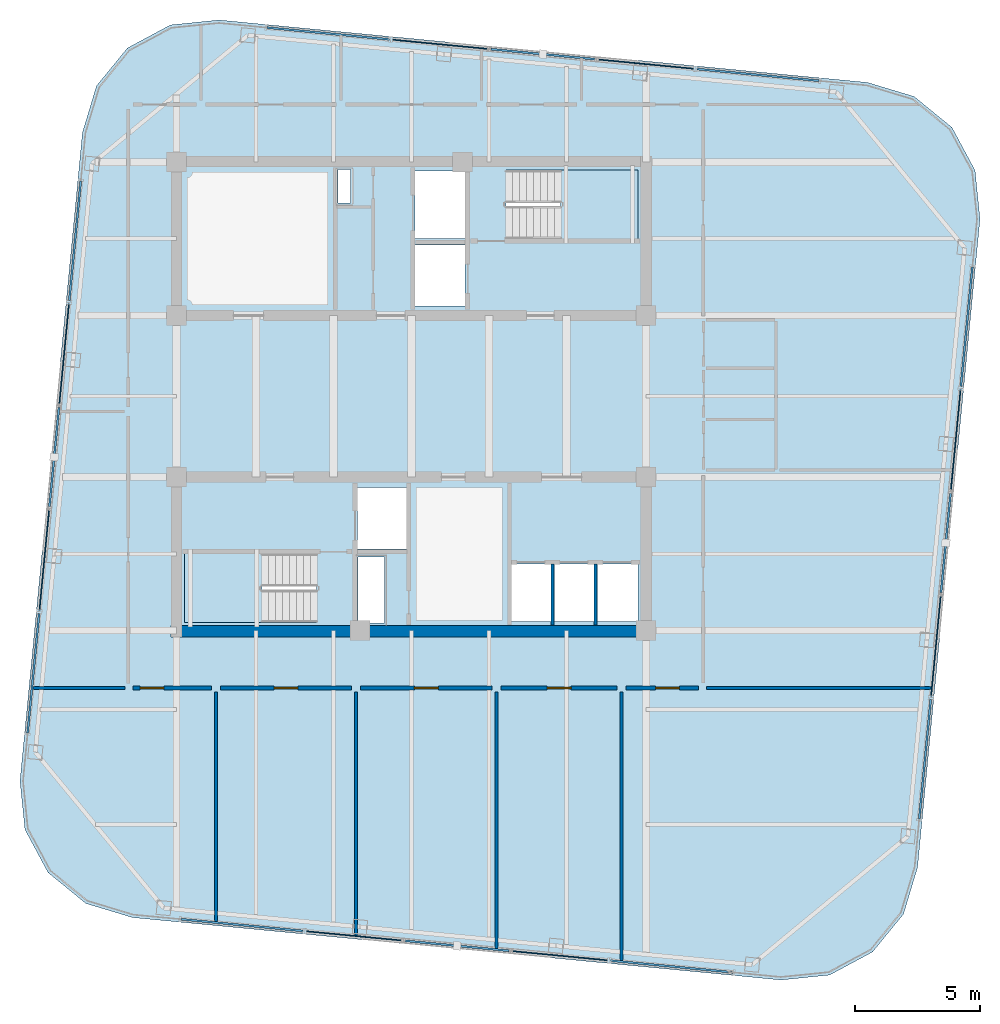
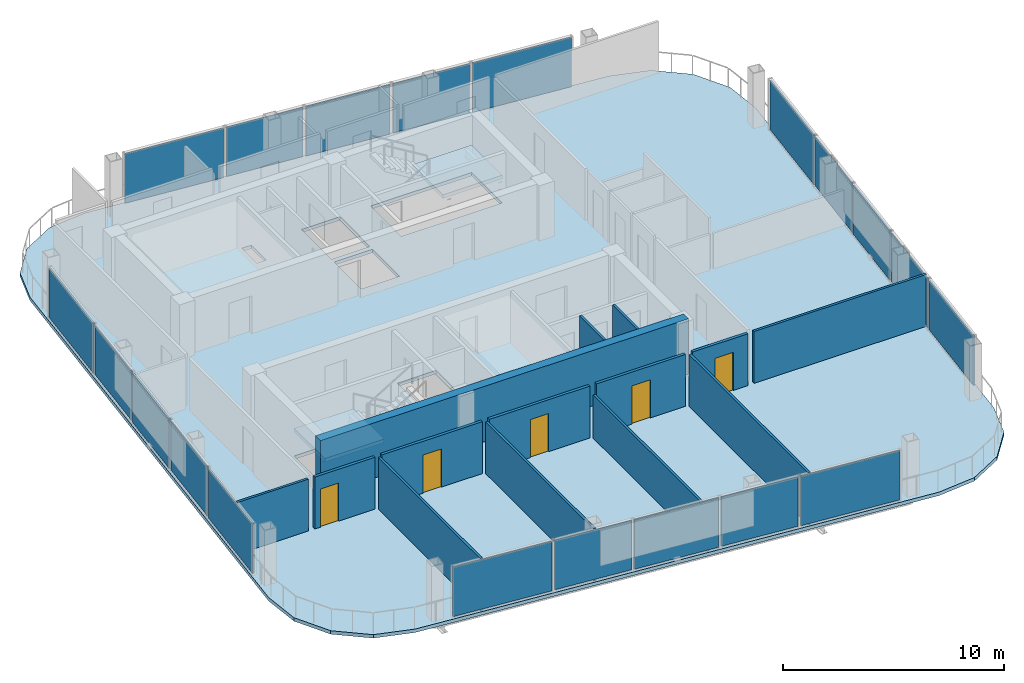
# One storey, part 16 of 22: 20 plates, 14 walls, 5 doors, 3 slabs, 5 openings, 22 elements without a shape of their own.
"""IFC4 building model written with IfcOpenShell, lengths in metres."""

from ifc_helpers import new_model, si_unit, direction, frame, frame_2d, origin, origin_2d, place, context, subcontext, project, spatial, polyline, rectangle, outline, extrude, material, layer, layer_set, type_object, element, fill, aggregate, save


model = new_model("IFC4")

# Units and contexts
model_context = context("Model", 3, precision=1e-05, world=origin(), true_north=direction((0.0, 1.0)))
body_context = subcontext(model_context, "Body", "Model", "MODEL_VIEW")
ifc_project = project(units=[si_unit("LENGTHUNIT", "METRE"), si_unit("AREAUNIT", "SQUARE_METRE"), si_unit("VOLUMEUNIT", "CUBIC_METRE"), si_unit("PLANEANGLEUNIT", "RADIAN"), si_unit("MASSUNIT", "GRAM", prefix="KILO")], contexts=[model_context])

# Site, building, storey
site_placement = place(None, origin())
site = spatial("IfcSite", under=ifc_project, at=site_placement, CompositionType="ELEMENT")
building_placement = place(site_placement, origin())
building = spatial("IfcBuilding", under=site, at=building_placement, Name="Qhalaya Broadcast Tower", CompositionType="ELEMENT")
storey_placement = place(building_placement, frame((0.0, 0.0, 252.0)))
storey = spatial("IfcBuildingStorey", under=building, at=storey_placement, Name="L74", CompositionType="ELEMENT", Elevation=252.0)

# Curtain wall, plate
ifc_material_1 = material(Name="Fired Architectural Terracotta", Category="masonry")
ifc_layer_1 = layer(ifc_material_1, 0.219970703125, Name="Fired Architectural Terracotta")
ifc_layer_set_1 = layer_set([ifc_layer_1], Name="Fired Architectural Terracotta")
curtain_wall_type_1 = type_object("IfcCurtainWallType", Name="Block-Cap Unitised Terracotta Spandrel Wall CW-07", PredefinedType="NOTDEFINED", material=ifc_layer_set_1)
curtain_wall_1_placement = place(storey_placement, origin())
curtain_wall_1 = element("IfcCurtainWall", 1, at=curtain_wall_1_placement, inside=storey, type_object=curtain_wall_type_1, Name="L74 Unitised Curtain Wall L74-CW-S1", PredefinedType="NOTDEFINED")
ifc_layer_2 = layer(ifc_material_1, 0.080078125, Name="Fired Architectural Terracotta")
ifc_layer_set_2 = layer_set([ifc_layer_2], Name="Fired Architectural Terracotta")
plate_type_1 = type_object("IfcPlateType", Name="Insulated Terracotta Spandrel Panel TSP-07", PredefinedType="CURTAIN_PANEL", material=ifc_layer_set_2)
plate_1_placement = place(storey_placement, frame((-6.761474609375, -20.5107421875, 0.074951171875), z_axis=(0.0, 0.0, 1.0), x_axis=(0.995395145786, -0.09585668336, 0.0)))
plate_1 = element("IfcPlate", 2, at=plate_1_placement, type_object=plate_type_1, Name="CW-07 panel 1.1", PredefinedType="CURTAIN_PANEL", context=body_context, shape_type="SweptSolid", body=[
    extrude(rectangle(XDim=4.89501953125, YDim=0.080078125, at=origin_2d()), origin(), (0.0, 0.0, 1.0), 2.7099609375),
])
aggregate(curtain_wall_1, [plate_1])

curtain_wall_2_placement = place(storey_placement, origin())
curtain_wall_2 = element("IfcCurtainWall", 3, at=curtain_wall_2_placement, inside=storey, type_object=curtain_wall_type_1, Name="L74 Unitised Curtain Wall L74-CW-S3", PredefinedType="NOTDEFINED")
plate_2_placement = place(storey_placement, frame((1.826171875, -21.337646484375, 0.074951171875), z_axis=(0.0, 0.0, 1.0), x_axis=(0.995397029971, -0.095837115594, 0.0)))
plate_2 = element("IfcPlate", 4, at=plate_2_placement, type_object=plate_type_1, Name="CW-07 panel 1.1", PredefinedType="CURTAIN_PANEL", context=body_context, shape_type="SweptSolid", body=[
    extrude(rectangle(XDim=4.174072265625, YDim=0.080078125, at=origin_2d()), origin(), (0.0, 0.0, 1.0), 2.7099609375),
])
aggregate(curtain_wall_2, [plate_2])

curtain_wall_3_placement = place(storey_placement, origin())
curtain_wall_3 = element("IfcCurtainWall", 5, at=curtain_wall_3_placement, inside=storey, type_object=curtain_wall_type_1, Name="L74 Unitised Curtain Wall L74-CW-S5", PredefinedType="NOTDEFINED")
plate_3_placement = place(storey_placement, frame((10.4140625, -22.16455078125, 0.074951171875), z_axis=(0.0, 0.0, 1.0), x_axis=(0.995396854807, -0.095838934889, 0.0)))
plate_3 = element("IfcPlate", 6, at=plate_3_placement, type_object=plate_type_1, Name="CW-07 panel 1.1", PredefinedType="CURTAIN_PANEL", context=body_context, shape_type="SweptSolid", body=[
    extrude(rectangle(XDim=4.89501953125, YDim=0.080078125, at=origin_2d()), origin(), (0.0, 0.0, 1.0), 2.7099609375),
])
aggregate(curtain_wall_3, [plate_3])

curtain_wall_4_placement = place(storey_placement, origin())
curtain_wall_4 = element("IfcCurtainWall", 7, at=curtain_wall_4_placement, inside=storey, type_object=curtain_wall_type_1, Name="L74 Unitised Curtain Wall L74-CW-E1", PredefinedType="NOTDEFINED")
plate_4_placement = place(storey_placement, frame((20.50634765625, -13.8876953125, 0.074951171875), z_axis=(0.0, 0.0, 1.0), x_axis=(0.095840154905, 0.99539673734, 0.0)))
plate_4 = element("IfcPlate", 8, at=plate_4_placement, type_object=plate_type_1, Name="CW-07 panel 1.1", PredefinedType="CURTAIN_PANEL", context=body_context, shape_type="SweptSolid", body=[
    extrude(rectangle(XDim=4.802001953125, YDim=0.080078125, at=origin_2d()), origin(), (0.0, 0.0, 1.0), 2.7099609375),
])
aggregate(curtain_wall_4, [plate_4])

curtain_wall_5_placement = place(storey_placement, origin())
curtain_wall_5 = element("IfcCurtainWall", 9, at=curtain_wall_5_placement, inside=storey, type_object=curtain_wall_type_1, Name="L74 Unitised Curtain Wall L74-CW-E3", PredefinedType="NOTDEFINED")
plate_5_placement = place(storey_placement, frame((21.337646484375, -5.253662109375, 0.074951171875), z_axis=(0.0, 0.0, 1.0), x_axis=(0.095842786142, 0.995396483992, 0.0)))
plate_5 = element("IfcPlate", 10, at=plate_5_placement, type_object=plate_type_1, Name="CW-07 panel 1.1", PredefinedType="CURTAIN_PANEL", context=body_context, shape_type="SweptSolid", body=[
    extrude(rectangle(XDim=3.98583984375, YDim=0.080078125, at=origin_2d()), origin(), (0.0, 0.0, 1.0), 2.7099609375),
])
aggregate(curtain_wall_5, [plate_5])

curtain_wall_6_placement = place(storey_placement, origin())
curtain_wall_6 = element("IfcCurtainWall", 11, at=curtain_wall_6_placement, inside=storey, type_object=curtain_wall_type_1, Name="L74 Unitised Curtain Wall L74-CW-E5", PredefinedType="NOTDEFINED")
plate_6_placement = place(storey_placement, frame((22.169189453125, 3.38037109375, 0.074951171875), z_axis=(0.0, 0.0, 1.0), x_axis=(0.095840154905, 0.99539673734, 0.0)))
plate_6 = element("IfcPlate", 12, at=plate_6_placement, type_object=plate_type_1, Name="CW-07 panel 1.1", PredefinedType="CURTAIN_PANEL", context=body_context, shape_type="SweptSolid", body=[
    extrude(rectangle(XDim=4.802001953125, YDim=0.080078125, at=origin_2d()), origin(), (0.0, 0.0, 1.0), 2.7099609375),
])
aggregate(curtain_wall_6, [plate_6])

curtain_wall_7_placement = place(storey_placement, origin())
curtain_wall_7 = element("IfcCurtainWall", 13, at=curtain_wall_7_placement, inside=storey, type_object=curtain_wall_type_1, Name="L74 Unitised Curtain Wall L74-CW-N1", PredefinedType="NOTDEFINED")
plate_7_placement = place(storey_placement, frame((13.841552734375, 13.430908203125, 0.074951171875), z_axis=(0.0, 0.0, 1.0), x_axis=(-0.995395145786, 0.09585668336, 0.0)))
plate_7 = element("IfcPlate", 14, at=plate_7_placement, type_object=plate_type_1, Name="CW-07 panel 1.1", PredefinedType="CURTAIN_PANEL", context=body_context, shape_type="SweptSolid", body=[
    extrude(rectangle(XDim=4.89501953125, YDim=0.080078125, at=origin_2d()), origin(), (0.0, 0.0, 1.0), 2.7099609375),
])
aggregate(curtain_wall_7, [plate_7])

curtain_wall_8_placement = place(storey_placement, origin())
curtain_wall_8 = element("IfcCurtainWall", 15, at=curtain_wall_8_placement, inside=storey, type_object=curtain_wall_type_1, Name="L74 Unitised Curtain Wall L74-CW-N3", PredefinedType="NOTDEFINED")
plate_8_placement = place(storey_placement, frame((5.253662109375, 14.2578125, 0.074951171875), z_axis=(0.0, 0.0, 1.0), x_axis=(-0.995397029971, 0.095837115594, 0.0)))
plate_8 = element("IfcPlate", 16, at=plate_8_placement, type_object=plate_type_1, Name="CW-07 panel 1.1", PredefinedType="CURTAIN_PANEL", context=body_context, shape_type="SweptSolid", body=[
    extrude(rectangle(XDim=4.174072265625, YDim=0.080078125, at=origin_2d()), origin(), (0.0, 0.0, 1.0), 2.7099609375),
])
aggregate(curtain_wall_8, [plate_8])

curtain_wall_9_placement = place(storey_placement, origin())
curtain_wall_9 = element("IfcCurtainWall", 17, at=curtain_wall_9_placement, inside=storey, type_object=curtain_wall_type_1, Name="L74 Unitised Curtain Wall L74-CW-N5", PredefinedType="NOTDEFINED")
plate_9_placement = place(storey_placement, frame((-3.333984375, 15.084716796875, 0.074951171875), z_axis=(0.0, 0.0, 1.0), x_axis=(-0.995396854807, 0.095838934889, 0.0)))
plate_9 = element("IfcPlate", 18, at=plate_9_placement, type_object=plate_type_1, Name="CW-07 panel 1.1", PredefinedType="CURTAIN_PANEL", context=body_context, shape_type="SweptSolid", body=[
    extrude(rectangle(XDim=4.89501953125, YDim=0.080078125, at=origin_2d()), origin(), (0.0, 0.0, 1.0), 2.7099609375),
])
aggregate(curtain_wall_9, [plate_9])

curtain_wall_10_placement = place(storey_placement, origin())
curtain_wall_10 = element("IfcCurtainWall", 19, at=curtain_wall_10_placement, inside=storey, type_object=curtain_wall_type_1, Name="L74 Unitised Curtain Wall L74-CW-W1", PredefinedType="NOTDEFINED")
plate_10_placement = place(storey_placement, frame((-13.42626953125, 6.807861328125, 0.074951171875), z_axis=(0.0, 0.0, 1.0), x_axis=(-0.095840154905, -0.99539673734, 0.0)))
plate_10 = element("IfcPlate", 20, at=plate_10_placement, type_object=plate_type_1, Name="CW-07 panel 1.1", PredefinedType="CURTAIN_PANEL", context=body_context, shape_type="SweptSolid", body=[
    extrude(rectangle(XDim=4.802001953125, YDim=0.080078125, at=origin_2d()), origin(), (0.0, 0.0, 1.0), 2.7099609375),
])
aggregate(curtain_wall_10, [plate_10])

curtain_wall_11_placement = place(storey_placement, origin())
curtain_wall_11 = element("IfcCurtainWall", 21, at=curtain_wall_11_placement, inside=storey, type_object=curtain_wall_type_1, Name="L74 Unitised Curtain Wall L74-CW-W3", PredefinedType="NOTDEFINED")
plate_11_placement = place(storey_placement, frame((-14.2578125, -1.826171875, 0.074951171875), z_axis=(0.0, 0.0, 1.0), x_axis=(-0.095842786142, -0.995396483992, 0.0)))
plate_11 = element("IfcPlate", 22, at=plate_11_placement, type_object=plate_type_1, Name="CW-07 panel 1.1", PredefinedType="CURTAIN_PANEL", context=body_context, shape_type="SweptSolid", body=[
    extrude(rectangle(XDim=3.98583984375, YDim=0.080078125, at=origin_2d()), origin(), (0.0, 0.0, 1.0), 2.7099609375),
])
aggregate(curtain_wall_11, [plate_11])

curtain_wall_12_placement = place(storey_placement, origin())
curtain_wall_12 = element("IfcCurtainWall", 23, at=curtain_wall_12_placement, inside=storey, type_object=curtain_wall_type_1, Name="L74 Unitised Curtain Wall L74-CW-W5", PredefinedType="NOTDEFINED")
plate_12_placement = place(storey_placement, frame((-15.089111328125, -10.460205078125, 0.074951171875), z_axis=(0.0, 0.0, 1.0), x_axis=(-0.095840154905, -0.99539673734, 0.0)))
plate_12 = element("IfcPlate", 24, at=plate_12_placement, type_object=plate_type_1, Name="CW-07 panel 1.1", PredefinedType="CURTAIN_PANEL", context=body_context, shape_type="SweptSolid", body=[
    extrude(rectangle(XDim=4.802001953125, YDim=0.080078125, at=origin_2d()), origin(), (0.0, 0.0, 1.0), 2.7099609375),
])
aggregate(curtain_wall_12, [plate_12])

ifc_material_2 = material(Name="Solar-Control Low-E Triple Glazing", Category="glass")
ifc_layer_3 = layer(ifc_material_2, 0.219970703125, Name="Solar-Control Low-E Triple Glazing")
ifc_layer_set_3 = layer_set([ifc_layer_3], Name="Solar-Control Low-E Triple Glazing")
curtain_wall_type_2 = type_object("IfcCurtainWallType", Name="High-Altitude Upper-Shaft Triple Low-E Curtain Wall CW-04", PredefinedType="NOTDEFINED", material=ifc_layer_set_3)
curtain_wall_13_placement = place(storey_placement, origin())
curtain_wall_13 = element("IfcCurtainWall", 25, at=curtain_wall_13_placement, inside=storey, type_object=curtain_wall_type_2, Name="L74 Unitised Curtain Wall L74-CW-S2", PredefinedType="NOTDEFINED")
ifc_layer_4 = layer(ifc_material_2, 0.0419921875, Name="Solar-Control Low-E Triple Glazing")
ifc_layer_set_4 = layer_set([ifc_layer_4], Name="Solar-Control Low-E Triple Glazing")
plate_type_2 = type_object("IfcPlateType", Name="Solar-Control Curtain Glazing Panel GLP-04", PredefinedType="CURTAIN_PANEL", material=ifc_layer_set_4)
plate_13_placement = place(storey_placement, frame((-2.2880859375, -20.941650390625, 0.074951171875), z_axis=(0.0, 0.0, 1.0), x_axis=(0.995396567507, -0.09584191878, 0.0)))
plate_13 = element("IfcPlate", 26, at=plate_13_placement, type_object=plate_type_2, Name="CW-04 panel 1.1", PredefinedType="CURTAIN_PANEL", context=body_context, shape_type="SweptSolid", body=[
    extrude(rectangle(XDim=3.79296875, YDim=0.0419921875, at=origin_2d()), origin(), (0.0, 0.0, 1.0), 2.7099609375),
])
aggregate(curtain_wall_13, [plate_13])

curtain_wall_14_placement = place(storey_placement, origin())
curtain_wall_14 = element("IfcCurtainWall", 27, at=curtain_wall_14_placement, inside=storey, type_object=curtain_wall_type_2, Name="L74 Unitised Curtain Wall L74-CW-S4", PredefinedType="NOTDEFINED")
plate_14_placement = place(storey_placement, frame((5.940673828125, -21.73388671875, 0.074951171875), z_axis=(0.0, 0.0, 1.0), x_axis=(0.995394380747, -0.095864627352, 0.0)))
plate_14 = element("IfcPlate", 28, at=plate_14_placement, type_object=plate_type_2, Name="CW-04 panel 1.1", PredefinedType="CURTAIN_PANEL", context=body_context, shape_type="SweptSolid", body=[
    extrude(rectangle(XDim=3.79296875, YDim=0.0419921875, at=origin_2d()), origin(), (0.0, 0.0, 1.0), 2.7099609375),
])
aggregate(curtain_wall_14, [plate_14])

curtain_wall_15_placement = place(storey_placement, origin())
curtain_wall_15 = element("IfcCurtainWall", 29, at=curtain_wall_15_placement, inside=storey, type_object=curtain_wall_type_2, Name="L74 Unitised Curtain Wall L74-CW-E2", PredefinedType="NOTDEFINED")
plate_15_placement = place(storey_placement, frame((20.941650390625, -9.36767578125, 0.074951171875), z_axis=(0.0, 0.0, 1.0), x_axis=(0.095859120729, 0.995394911064, 0.0)))
plate_15 = element("IfcPlate", 30, at=plate_15_placement, type_object=plate_type_2, Name="CW-04 panel 1.1", PredefinedType="CURTAIN_PANEL", context=body_context, shape_type="SweptSolid", body=[
    extrude(rectangle(XDim=3.97998046875, YDim=0.0419921875, at=origin_2d()), origin(), (0.0, 0.0, 1.0), 2.7099609375),
])
aggregate(curtain_wall_15, [plate_15])

curtain_wall_16_placement = place(storey_placement, origin())
curtain_wall_16 = element("IfcCurtainWall", 31, at=curtain_wall_16_placement, inside=storey, type_object=curtain_wall_type_2, Name="L74 Unitised Curtain Wall L74-CW-E4", PredefinedType="NOTDEFINED")
plate_16_placement = place(storey_placement, frame((21.73388671875, -1.139892578125, 0.074951171875), z_axis=(0.0, 0.0, 1.0), x_axis=(0.095859120729, 0.995394911064, 0.0)))
plate_16 = element("IfcPlate", 32, at=plate_16_placement, type_object=plate_type_2, Name="CW-04 panel 1.1", PredefinedType="CURTAIN_PANEL", context=body_context, shape_type="SweptSolid", body=[
    extrude(rectangle(XDim=3.97998046875, YDim=0.0419921875, at=origin_2d()), origin(), (0.0, 0.0, 1.0), 2.7099609375),
])
aggregate(curtain_wall_16, [plate_16])

curtain_wall_17_placement = place(storey_placement, origin())
curtain_wall_17 = element("IfcCurtainWall", 33, at=curtain_wall_17_placement, inside=storey, type_object=curtain_wall_type_2, Name="L74 Unitised Curtain Wall L74-CW-N2", PredefinedType="NOTDEFINED")
plate_17_placement = place(storey_placement, frame((9.3681640625, 13.861572265625, 0.074951171875), z_axis=(0.0, 0.0, 1.0), x_axis=(-0.995396567507, 0.09584191878, 0.0)))
plate_17 = element("IfcPlate", 34, at=plate_17_placement, type_object=plate_type_2, Name="CW-04 panel 1.1", PredefinedType="CURTAIN_PANEL", context=body_context, shape_type="SweptSolid", body=[
    extrude(rectangle(XDim=3.79296875, YDim=0.0419921875, at=origin_2d()), origin(), (0.0, 0.0, 1.0), 2.7099609375),
])
aggregate(curtain_wall_17, [plate_17])

curtain_wall_18_placement = place(storey_placement, origin())
curtain_wall_18 = element("IfcCurtainWall", 35, at=curtain_wall_18_placement, inside=storey, type_object=curtain_wall_type_2, Name="L74 Unitised Curtain Wall L74-CW-N4", PredefinedType="NOTDEFINED")
plate_18_placement = place(storey_placement, frame((1.13916015625, 14.65380859375, 0.074951171875), z_axis=(0.0, 0.0, 1.0), x_axis=(-0.995394380747, 0.095864627352, 0.0)))
plate_18 = element("IfcPlate", 36, at=plate_18_placement, type_object=plate_type_2, Name="CW-04 panel 1.1", PredefinedType="CURTAIN_PANEL", context=body_context, shape_type="SweptSolid", body=[
    extrude(rectangle(XDim=3.79296875, YDim=0.0419921875, at=origin_2d()), origin(), (0.0, 0.0, 1.0), 2.7099609375),
])
aggregate(curtain_wall_18, [plate_18])

curtain_wall_19_placement = place(storey_placement, origin())
curtain_wall_19 = element("IfcCurtainWall", 37, at=curtain_wall_19_placement, inside=storey, type_object=curtain_wall_type_2, Name="L74 Unitised Curtain Wall L74-CW-W2", PredefinedType="NOTDEFINED")
plate_19_placement = place(storey_placement, frame((-13.861572265625, 2.28759765625, 0.074951171875), z_axis=(0.0, 0.0, 1.0), x_axis=(-0.095859120729, -0.995394911064, 0.0)))
plate_19 = element("IfcPlate", 38, at=plate_19_placement, type_object=plate_type_2, Name="CW-04 panel 1.1", PredefinedType="CURTAIN_PANEL", context=body_context, shape_type="SweptSolid", body=[
    extrude(rectangle(XDim=3.97998046875, YDim=0.0419921875, at=origin_2d()), origin(), (0.0, 0.0, 1.0), 2.7099609375),
])
aggregate(curtain_wall_19, [plate_19])

curtain_wall_20_placement = place(storey_placement, origin())
curtain_wall_20 = element("IfcCurtainWall", 39, at=curtain_wall_20_placement, inside=storey, type_object=curtain_wall_type_2, Name="L74 Unitised Curtain Wall L74-CW-W4", PredefinedType="NOTDEFINED")
plate_20_placement = place(storey_placement, frame((-14.65380859375, -5.940185546875, 0.074951171875), z_axis=(0.0, 0.0, 1.0), x_axis=(-0.095859120729, -0.995394911064, 0.0)))
plate_20 = element("IfcPlate", 40, at=plate_20_placement, type_object=plate_type_2, Name="CW-04 panel 1.1", PredefinedType="CURTAIN_PANEL", context=body_context, shape_type="SweptSolid", body=[
    extrude(rectangle(XDim=3.97998046875, YDim=0.0419921875, at=origin_2d()), origin(), (0.0, 0.0, 1.0), 2.7099609375),
])
aggregate(curtain_wall_20, [plate_20])

# Stair, slab
ifc_material_3 = material(Name="Concrete C40/50", Category="concrete")
stair_type = type_object("IfcStairType", Name="Protected Dogleg Core Stair 3150", PredefinedType="TWO_STRAIGHT_RUN_STAIR", material=ifc_material_3)
stair_1_placement = place(storey_placement, origin())
stair_1 = element("IfcStair", 41, at=stair_1_placement, inside=storey, type_object=stair_type, Name="L74 North Core Exit Stair ST-1", PredefinedType="TWO_STRAIGHT_RUN_STAIR")
ifc_layer_5 = layer(ifc_material_3, 0.199951171875, Name="Concrete C40/50")
ifc_layer_set_5 = layer_set([ifc_layer_5], Name="Concrete C40/50")
slab_type_1 = type_object("IfcSlabType", Name="Stair & Ramp Half-Landing Slab 200", PredefinedType="LANDING", material=ifc_layer_set_5)
slab_1_placement = place(storey_placement, frame((0.0, 0.0, 1.324951171875)))
slab_1 = element("IfcSlab", 42, at=slab_1_placement, type_object=slab_type_1, Name="ST-1 landing 1", PredefinedType="LANDING", context=body_context, shape_type="SweptSolid", body=[
    extrude(outline(polyline([(5.955078125, 6.8798828125), (9.050048828125, 6.8798828125), (9.050048828125, 9.639892578125), (5.955078125, 9.639892578125), (5.955078125, 6.8798828125)])), origin(), (0.0, 0.0, 1.0), 0.199951171875),
])
aggregate(stair_1, [slab_1])

stair_2_placement = place(storey_placement, origin())
stair_2 = element("IfcStair", 43, at=stair_2_placement, inside=storey, type_object=stair_type, Name="L74 South Core Exit Stair ST-2", PredefinedType="TWO_STRAIGHT_RUN_STAIR")
slab_2_placement = place(storey_placement, frame((0.0, 0.0, 1.324951171875)))
slab_2 = element("IfcSlab", 44, at=slab_2_placement, type_object=slab_type_1, Name="ST-2 landing 1", PredefinedType="LANDING", context=body_context, shape_type="SweptSolid", body=[
    extrude(outline(polyline([(-5.955078125, -5.679931640625), (-9.050048828125, -5.679931640625), (-9.050048828125, -8.43994140625), (-5.955078125, -8.43994140625), (-5.955078125, -5.679931640625)])), origin(), (0.0, 0.0, 1.0), 0.199951171875),
])
aggregate(stair_2, [slab_2])

# Slab
ifc_layer_6 = layer(ifc_material_3, 0.18994140625, Name="Concrete C40/50")
ifc_layer_set_6 = layer_set([ifc_layer_6], Name="Concrete C40/50")
slab_type_2 = type_object("IfcSlabType", Name="Upper Tower Composite Floor Slab 190", PredefinedType="FLOOR", material=ifc_layer_set_6)
slab_3_placement = place(storey_placement, frame((0.0, 0.0, -0.18994140625)))
element("IfcSlab", 45, at=slab_3_placement, inside=storey, type_object=slab_type_2, Name="L74 Main Structural Floor Slab", PredefinedType="FLOOR", context=body_context, shape_type="SweptSolid", body=[
    extrude(outline(polyline([(14.7548828125, -22.703125), (16.696044921875, -22.5078125), (18.41455078125, -21.584228515625), (19.64892578125, -20.073486328125), (20.211181640625, -18.205322265625), (22.703125, 7.6748046875), (22.5078125, 9.615966796875), (21.584228515625, 11.33447265625), (20.073486328125, 12.56884765625), (18.205322265625, 13.131103515625), (-7.6748046875, 15.623046875), (-9.615966796875, 15.427734375), (-11.33447265625, 14.50439453125), (-12.56884765625, 12.993408203125), (-13.131103515625, 11.12548828125), (-15.623046875, -14.7548828125), (-15.427734375, -16.696044921875), (-14.50439453125, -18.41455078125), (-12.993408203125, -19.64892578125), (-11.12548828125, -20.211181640625), (14.7548828125, -22.703125)]), holes=[polyline([(3.784912109375, 9.639892578125), (9.050048828125, 9.639892578125), (9.050048828125, 6.8798828125), (3.784912109375, 6.8798828125), (3.784912109375, 9.639892578125)]), polyline([(-3.784912109375, -8.43994140625), (-9.050048828125, -8.43994140625), (-9.050048828125, -5.679931640625), (-3.784912109375, -5.679931640625), (-3.784912109375, -8.43994140625)]), polyline([(0.14990234375, 6.64990234375), (2.14990234375, 6.64990234375), (2.14990234375, 4.199951171875), (0.14990234375, 4.199951171875), (0.14990234375, 6.64990234375)]), polyline([(0.14990234375, 9.60009765625), (2.14990234375, 9.60009765625), (2.14990234375, 6.89990234375), (0.14990234375, 6.89990234375), (0.14990234375, 9.60009765625)]), polyline([(-2.14990234375, -3.050048828125), (-0.14990234375, -3.050048828125), (-0.14990234375, -5.5), (-2.14990234375, -5.5), (-2.14990234375, -3.050048828125)]), polyline([(4.0, -6.10009765625), (5.60009765625, -6.10009765625), (5.60009765625, -8.39990234375), (4.0, -8.39990234375), (4.0, -6.10009765625)]), polyline([(5.719970703125, -6.10009765625), (7.320068359375, -6.10009765625), (7.320068359375, -8.39990234375), (5.719970703125, -8.39990234375), (5.719970703125, -6.10009765625)]), polyline([(7.43994140625, -6.10009765625), (9.0400390625, -6.10009765625), (9.0400390625, -8.39990234375), (7.43994140625, -8.39990234375), (7.43994140625, -6.10009765625)]), polyline([(-2.919921875, 9.659912109375), (-2.419921875, 9.659912109375), (-2.419921875, 8.320068359375), (-2.919921875, 8.320068359375), (-2.919921875, 9.659912109375)]), polyline([(-2.1201171875, -5.820068359375), (-1.080078125, -5.820068359375), (-1.080078125, -8.4599609375), (-2.1201171875, -8.4599609375), (-2.1201171875, -5.820068359375)])]), origin(), (0.0, 0.0, 1.0), 0.18994140625),
])

# Wall, opening, door
ifc_material_4 = material(Name="Gypsum Acoustic Partition")
ifc_layer_7 = layer(ifc_material_4, 0.14990234375, Name="Gypsum Acoustic Partition")
ifc_layer_set_7 = layer_set([ifc_layer_7], Name="Gypsum Acoustic Partition")
wall_type_1 = type_object("IfcWallType", Name="Corridor & Tenancy Acoustic Partition 150", PredefinedType="PARTITIONING", material=ifc_layer_set_7)
wall_1_placement = place(storey_placement, frame((-11.1201171875, -11.050048828125, 0.0), z_axis=(0.0, 0.0, 1.0), x_axis=(1.0, 0.0, 0.0)))
wall_1 = element("IfcWall", 46, at=wall_1_placement, inside=storey, type_object=wall_type_1, Name="L74 Partition Wall W-COR-06", PredefinedType="PARTITIONING", context=body_context, shape_type="SweptSolid", body=[
    extrude(rectangle(XDim=3.14013671875, YDim=0.14990234375, at=frame_2d((1.570068359375, 0.0))), origin(), (0.0, 0.0, 1.0), 2.860107421875),
])
opening_1_placement = place(wall_1_placement, frame((0.294921875, 0.0, 0.0)))
opening_1 = element("IfcOpeningElement", 47, at=opening_1_placement, cuts=wall_1, Name="Opening D10", PredefinedType="OPENING", context=body_context, shape_type="SweptSolid", body=[
    extrude(rectangle(XDim=0.949951171875, YDim=2.10009765625, at=frame_2d((0.47509765625, 1.050048828125))), frame((0.0, 0.0869140625, 0.0), z_axis=(0.0, -1.0, 0.0), x_axis=(1.0, 0.0, 0.0)), (0.0, 0.0, 1.0), 0.173828125),
])
ifc_material_5 = material(Name="Timber Veneer Acoustic Door", Category="wood")
door_type = type_object("IfcDoorType", Name="Cellular Office & Edit Booth Door D10", OperationType="NOTDEFINED", PredefinedType="DOOR", material=ifc_material_5)
door_1_placement = place(opening_1_placement, origin())
door_1 = element("IfcDoor", 48, at=door_1_placement, inside=storey, type_object=door_type, Name="L74 Door D-RM06", OperationType="SINGLE_SWING_LEFT", OverallHeight=2.10009765625, OverallWidth=0.949951171875, PredefinedType="DOOR", context=body_context, shape_type="SweptSolid", body=[
    extrude(rectangle(XDim=0.949951171875, YDim=2.10009765625, at=frame_2d((0.47509765625, 1.050048828125))), frame((0.0, 0.02490234375, 0.0), z_axis=(0.0, -1.0, 0.0), x_axis=(1.0, 0.0, 0.0)), (0.0, 0.0, 1.0), 0.050048828125),
])
fill(opening_1, door_1)

wall_2_placement = place(storey_placement, frame((-7.6201171875, -11.050048828125, 0.0), z_axis=(0.0, 0.0, 1.0), x_axis=(1.0, 0.0, 0.0)))
wall_2 = element("IfcWall", 49, at=wall_2_placement, inside=storey, type_object=wall_type_1, Name="L74 Partition Wall W-COR-07", PredefinedType="PARTITIONING", context=body_context, shape_type="SweptSolid", body=[
    extrude(rectangle(XDim=5.240234375, YDim=0.14990234375, at=frame_2d((2.6201171875, 0.0))), origin(), (0.0, 0.0, 1.0), 2.860107421875),
])
opening_2_placement = place(wall_2_placement, frame((2.14501953125, 0.0, 0.0)))
opening_2 = element("IfcOpeningElement", 50, at=opening_2_placement, cuts=wall_2, Name="Opening D10", PredefinedType="OPENING", context=body_context, shape_type="SweptSolid", body=[
    extrude(rectangle(XDim=0.949951171875, YDim=2.10009765625, at=frame_2d((0.47509765625, 1.050048828125))), frame((0.0, 0.0869140625, 0.0), z_axis=(0.0, -1.0, 0.0), x_axis=(1.0, 0.0, 0.0)), (0.0, 0.0, 1.0), 0.173828125),
])
door_2_placement = place(opening_2_placement, origin())
door_2 = element("IfcDoor", 51, at=door_2_placement, inside=storey, type_object=door_type, Name="L74 Door D-RM07", OperationType="SINGLE_SWING_RIGHT", OverallHeight=2.10009765625, OverallWidth=0.949951171875, PredefinedType="DOOR", context=body_context, shape_type="SweptSolid", body=[
    extrude(rectangle(XDim=0.949951171875, YDim=2.10009765625, at=frame_2d((0.47509765625, 1.050048828125))), frame((0.0, 0.02490234375, 0.0), z_axis=(0.0, -1.0, 0.0), x_axis=(1.0, 0.0, 0.0)), (0.0, 0.0, 1.0), 0.050048828125),
])
fill(opening_2, door_2)

wall_3_placement = place(storey_placement, frame((-2.02001953125, -11.050048828125, 0.0), z_axis=(0.0, 0.0, 1.0), x_axis=(1.0, 0.0, 0.0)))
wall_3 = element("IfcWall", 52, at=wall_3_placement, inside=storey, type_object=wall_type_1, Name="L74 Partition Wall W-COR-08", PredefinedType="PARTITIONING", context=body_context, shape_type="SweptSolid", body=[
    extrude(rectangle(XDim=5.239990234375, YDim=0.14990234375, at=frame_2d((2.6201171875, 0.0))), origin(), (0.0, 0.0, 1.0), 2.860107421875),
])
opening_3_placement = place(wall_3_placement, frame((2.14501953125, 0.0, 0.0)))
opening_3 = element("IfcOpeningElement", 53, at=opening_3_placement, cuts=wall_3, Name="Opening D10", PredefinedType="OPENING", context=body_context, shape_type="SweptSolid", body=[
    extrude(rectangle(XDim=0.949951171875, YDim=2.10009765625, at=frame_2d((0.47509765625, 1.050048828125))), frame((0.0, 0.0869140625, 0.0), z_axis=(0.0, -1.0, 0.0), x_axis=(1.0, 0.0, 0.0)), (0.0, 0.0, 1.0), 0.173828125),
])
door_3_placement = place(opening_3_placement, origin())
door_3 = element("IfcDoor", 54, at=door_3_placement, inside=storey, type_object=door_type, Name="L74 Door D-RM08", OperationType="SINGLE_SWING_LEFT", OverallHeight=2.10009765625, OverallWidth=0.949951171875, PredefinedType="DOOR", context=body_context, shape_type="SweptSolid", body=[
    extrude(rectangle(XDim=0.949951171875, YDim=2.10009765625, at=frame_2d((0.47509765625, 1.050048828125))), frame((0.0, 0.02490234375, 0.0), z_axis=(0.0, -1.0, 0.0), x_axis=(1.0, 0.0, 0.0)), (0.0, 0.0, 1.0), 0.050048828125),
])
fill(opening_3, door_3)

wall_4_placement = place(storey_placement, frame((3.580078125, -11.050048828125, 0.0), z_axis=(0.0, 0.0, 1.0), x_axis=(1.0, 0.0, 0.0)))
wall_4 = element("IfcWall", 55, at=wall_4_placement, inside=storey, type_object=wall_type_1, Name="L74 Partition Wall W-COR-09", PredefinedType="PARTITIONING", context=body_context, shape_type="SweptSolid", body=[
    extrude(rectangle(XDim=4.639892578125, YDim=0.14990234375, at=frame_2d((2.31982421875, 0.0))), origin(), (0.0, 0.0, 1.0), 2.860107421875),
])
opening_4_placement = place(wall_4_placement, frame((1.844970703125, 0.0, 0.0)))
opening_4 = element("IfcOpeningElement", 56, at=opening_4_placement, cuts=wall_4, Name="Opening D10", PredefinedType="OPENING", context=body_context, shape_type="SweptSolid", body=[
    extrude(rectangle(XDim=0.949951171875, YDim=2.10009765625, at=frame_2d((0.47509765625, 1.050048828125))), frame((0.0, 0.0869140625, 0.0), z_axis=(0.0, -1.0, 0.0), x_axis=(1.0, 0.0, 0.0)), (0.0, 0.0, 1.0), 0.173828125),
])
door_4_placement = place(opening_4_placement, origin())
door_4 = element("IfcDoor", 57, at=door_4_placement, inside=storey, type_object=door_type, Name="L74 Door D-RM09", OperationType="SINGLE_SWING_RIGHT", OverallHeight=2.10009765625, OverallWidth=0.949951171875, PredefinedType="DOOR", context=body_context, shape_type="SweptSolid", body=[
    extrude(rectangle(XDim=0.949951171875, YDim=2.10009765625, at=frame_2d((0.47509765625, 1.050048828125))), frame((0.0, 0.02490234375, 0.0), z_axis=(0.0, -1.0, 0.0), x_axis=(1.0, 0.0, 0.0)), (0.0, 0.0, 1.0), 0.050048828125),
])
fill(opening_4, door_4)

wall_5_placement = place(storey_placement, frame((8.580078125, -11.050048828125, 0.0), z_axis=(0.0, 0.0, 1.0), x_axis=(1.0, 0.0, 0.0)))
wall_5 = element("IfcWall", 58, at=wall_5_placement, inside=storey, type_object=wall_type_1, Name="L74 Partition Wall W-COR-10", PredefinedType="PARTITIONING", context=body_context, shape_type="SweptSolid", body=[
    extrude(rectangle(XDim=2.889892578125, YDim=0.14990234375, at=frame_2d((1.44482421875, 0.0))), origin(), (0.0, 0.0, 1.0), 2.860107421875),
])
opening_5_placement = place(wall_5_placement, frame((1.169921875, 0.0, 0.0)))
opening_5 = element("IfcOpeningElement", 59, at=opening_5_placement, cuts=wall_5, Name="Opening D10", PredefinedType="OPENING", context=body_context, shape_type="SweptSolid", body=[
    extrude(rectangle(XDim=0.949951171875, YDim=2.10009765625, at=frame_2d((0.47509765625, 1.050048828125))), frame((0.0, 0.0869140625, 0.0), z_axis=(0.0, -1.0, 0.0), x_axis=(1.0, 0.0, 0.0)), (0.0, 0.0, 1.0), 0.173828125),
])
door_5_placement = place(opening_5_placement, origin())
door_5 = element("IfcDoor", 60, at=door_5_placement, inside=storey, type_object=door_type, Name="L74 Door D-RM10", OperationType="SINGLE_SWING_LEFT", OverallHeight=2.10009765625, OverallWidth=0.949951171875, PredefinedType="DOOR", context=body_context, shape_type="SweptSolid", body=[
    extrude(rectangle(XDim=0.949951171875, YDim=2.10009765625, at=frame_2d((0.47509765625, 1.050048828125))), frame((0.0, 0.02490234375, 0.0), z_axis=(0.0, -1.0, 0.0), x_axis=(1.0, 0.0, 0.0)), (0.0, 0.0, 1.0), 0.050048828125),
])
fill(opening_5, door_5)

# Walls
ifc_layer_8 = layer(ifc_material_4, 0.1201171875, Name="Gypsum Acoustic Partition")
ifc_layer_set_8 = layer_set([ifc_layer_8], Name="Gypsum Acoustic Partition")
wall_type_2 = type_object("IfcWallType", Name="Office, Booth & Sanitary Partition 120", PredefinedType="PARTITIONING", material=ifc_layer_set_8)
for number, where, z_axis, x_axis, name in (
    (61, (5.639892578125, -8.530029296875, 0.0), (0.0, 0.0, 1.0), (0.0, 1.0, 0.0), "L74 Partition Wall SCW-HD6"),
    (62, (7.360107421875, -8.530029296875, 0.0), (0.0, 0.0, 1.0), (0.0, 1.0, 0.0), "L74 Partition Wall SCW-HD7"),
):
    element("IfcWall", number, at=place(storey_placement, frame(where, z_axis=z_axis, x_axis=x_axis)), inside=storey, type_object=wall_type_2, Name=name, PredefinedType="PARTITIONING", context=body_context, shape_type="SweptSolid", body=[
        extrude(rectangle(XDim=2.429931640625, YDim=0.1201171875, at=frame_2d((1.21484375, 0.0))), origin(), (0.0, 0.0, 1.0), 2.860107421875),
    ])
wall_6_placement = place(storey_placement, frame((-15.145751953125, -11.050048828125, 0.0), z_axis=(0.0, 0.0, 1.0), x_axis=(1.0, 0.0, 0.0)))
element("IfcWall", 63, at=wall_6_placement, inside=storey, type_object=wall_type_2, Name="L74 Partition Wall W-BNDW2", PredefinedType="PARTITIONING", context=body_context, shape_type="SweptSolid", body=[
    extrude(rectangle(XDim=3.705810546875, YDim=0.1201171875, at=frame_2d((1.85302734375, 0.0))), origin(), (0.0, 0.0, 1.0), 2.860107421875),
])
wall_7_placement = place(storey_placement, frame((11.7900390625, -11.050048828125, 0.0), z_axis=(0.0, 0.0, 1.0), x_axis=(1.0, 0.0, 0.0)))
element("IfcWall", 64, at=wall_7_placement, inside=storey, type_object=wall_type_2, Name="L74 Partition Wall W-BNDE2", PredefinedType="PARTITIONING", context=body_context, shape_type="SweptSolid", body=[
    extrude(rectangle(XDim=8.989501953125, YDim=0.1201171875, at=frame_2d((4.49462890625, 0.0))), origin(), (0.0, 0.0, 1.0), 2.860107421875),
])
wall_8_placement = place(storey_placement, frame((-7.800048828125, -20.41064453125, 0.0), z_axis=(0.0, 0.0, 1.0), x_axis=(0.0, 1.0, 0.0)))
element("IfcWall", 65, at=wall_8_placement, inside=storey, type_object=wall_type_2, Name="L74 Partition Wall W-DIVS1", PredefinedType="PARTITIONING", context=body_context, shape_type="SweptSolid", body=[
    extrude(rectangle(XDim=9.20068359375, YDim=0.1201171875, at=frame_2d((4.600341796875, 0.0))), origin(), (0.0, 0.0, 1.0), 2.860107421875),
])
wall_9_placement = place(storey_placement, frame((-2.199951171875, -20.949951171875, 0.0), z_axis=(0.0, 0.0, 1.0), x_axis=(0.0, 1.0, 0.0)))
element("IfcWall", 66, at=wall_9_placement, inside=storey, type_object=wall_type_2, Name="L74 Partition Wall W-DIVS2", PredefinedType="PARTITIONING", context=body_context, shape_type="SweptSolid", body=[
    extrude(rectangle(XDim=9.739990234375, YDim=0.1201171875, at=frame_2d((4.8701171875, 0.0))), origin(), (0.0, 0.0, 1.0), 2.860107421875),
])
wall_10_placement = place(storey_placement, frame((3.39990234375, -21.4892578125, 0.0), z_axis=(0.0, 0.0, 1.0), x_axis=(0.0, 1.0, 0.0)))
element("IfcWall", 67, at=wall_10_placement, inside=storey, type_object=wall_type_2, Name="L74 Partition Wall W-DIVS3", PredefinedType="PARTITIONING", context=body_context, shape_type="SweptSolid", body=[
    extrude(rectangle(XDim=10.279296875, YDim=0.1201171875, at=frame_2d((5.1396484375, 0.0))), origin(), (0.0, 0.0, 1.0), 2.381103515625),
])
wall_11_placement = place(storey_placement, frame((8.39990234375, -21.970703125, 0.0), z_axis=(0.0, 0.0, 1.0), x_axis=(0.0, 1.0, 0.0)))
element("IfcWall", 68, at=wall_11_placement, inside=storey, type_object=wall_type_2, Name="L74 Partition Wall W-DIVS4", PredefinedType="PARTITIONING", context=body_context, shape_type="SweptSolid", body=[
    extrude(rectangle(XDim=10.7607421875, YDim=0.1201171875, at=frame_2d((5.38037109375, 0.0))), origin(), (0.0, 0.0, 1.0), 2.860107421875),
])
ifc_material_6 = material(Name="Concrete C50/60", Category="concrete")
ifc_layer_9 = layer(ifc_material_6, 0.449951171875, Name="Concrete C50/60")
ifc_layer_set_9 = layer_set([ifc_layer_9], Name="Concrete C50/60")
wall_type_3 = type_object("IfcWallType", Name="Upper Split-Core Shear Wall 450", PredefinedType="SHEAR", material=ifc_layer_set_9)
wall_12_placement = place(storey_placement, frame((-9.60009765625, -8.77490234375, 0.0), z_axis=(0.0, 0.0, 1.0), x_axis=(1.0, 0.0, 0.0)))
element("IfcWall", 69, at=wall_12_placement, inside=storey, type_object=wall_type_3, Name="L74 Split-Core Shear Wall CW-SS", PredefinedType="SHEAR", context=body_context, shape_type="SweptSolid", body=[
    extrude(rectangle(XDim=19.2001953125, YDim=0.449951171875, at=frame_2d((9.60009765625, 0.0))), origin(), (0.0, 0.0, 1.0), 3.050048828125),
])

save(model, "model.ifc")
